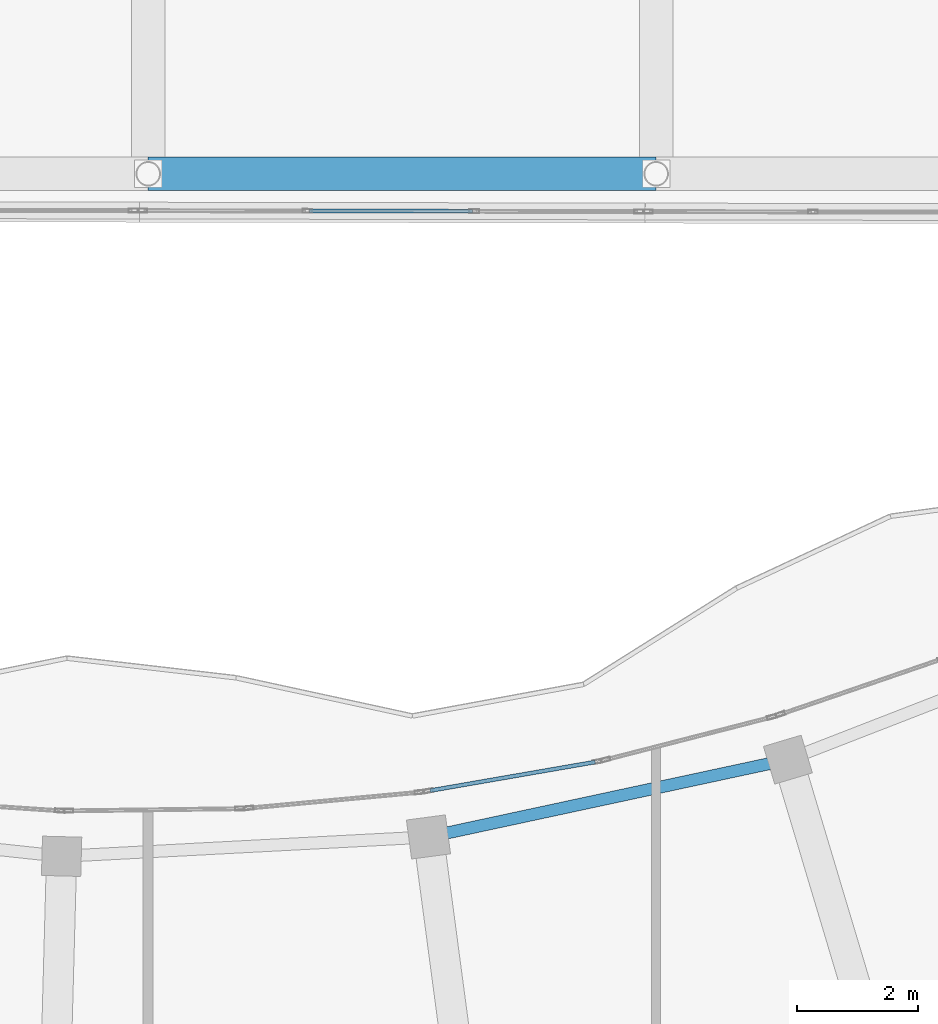
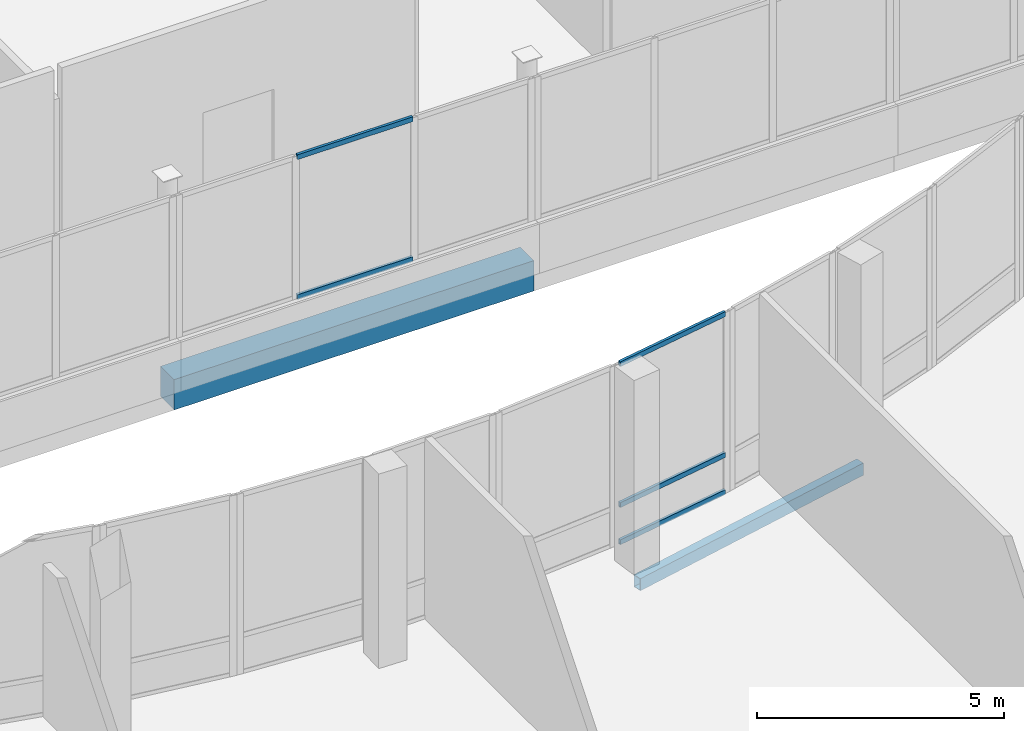
# One storey, part 34 of 155: 5 members, 2 beams, 2 elements without a shape of their own.
"""IFC4 building model written with IfcOpenShell, lengths in metres."""

from ifc_helpers import new_model, si_unit, direction, frame, origin, origin_2d, place, context, subcontext, project, spatial, rectangle, hollow_rectangle, extrude, material, material_profile, profile_set, type_object, element, aggregate, save


model = new_model("IFC4")

# Units and contexts
model_context = context("Model", 3, precision=1e-05, world=origin(), true_north=direction((0.0, 1.0)))
body_context = subcontext(model_context, "Body", "Model", "MODEL_VIEW")
ifc_project = project(units=[si_unit("LENGTHUNIT", "METRE"), si_unit("AREAUNIT", "SQUARE_METRE"), si_unit("VOLUMEUNIT", "CUBIC_METRE"), si_unit("PLANEANGLEUNIT", "RADIAN"), si_unit("MASSUNIT", "GRAM", prefix="KILO")], contexts=[model_context])

# Site, building, storey
site_placement = place(None, origin())
site = spatial("IfcSite", under=ifc_project, at=site_placement, CompositionType="ELEMENT")
building_placement = place(site_placement, origin())
building = spatial("IfcBuilding", under=site, at=building_placement, Name="Selatvlak General Hospital", CompositionType="ELEMENT")
storey_placement = place(building_placement, frame((0.0, 0.0, 10.199951171875)))
storey = spatial("IfcBuildingStorey", under=building, at=storey_placement, Name="L02", CompositionType="ELEMENT", Elevation=10.199951171875)

# Beams
ifc_material_1 = material(Name="Concrete C40/50", Category="concrete")
ifc_material_profile_1 = material_profile(ifc_material_1, rectangle(XDim=0.550048828125, YDim=0.75, at=origin_2d()), Name="RC-BM 550x750")
ifc_profile_set_1 = profile_set([ifc_material_profile_1], Name="Concrete C40/50")
beam_type_1 = type_object("IfcBeamType", Name="BM-G02", PredefinedType="BEAM", material=ifc_profile_set_1)
beam_1_placement = place(storey_placement, frame((56.39990234375, 52.550048828125, -0.72998046875), z_axis=(1.0, 0.0, 0.0), x_axis=(0.0, 1.0, 0.0)))
element("IfcBeam", 1, at=beam_1_placement, inside=storey, type_object=beam_type_1, Name="Beam BMR-L02-0771", PredefinedType="BEAM", context=body_context, shape_type="SweptSolid", body=[
    extrude(rectangle(XDim=0.550048828125, YDim=0.75, at=origin_2d()), origin(), (0.0, 0.0, 1.0), 8.400146484375),
])
ifc_material_2 = material(Name="Steel S355", Category="steel")
ifc_material_profile_2 = material_profile(ifc_material_2, hollow_rectangle(XDim=0.199951171875, YDim=0.300048828125, WallThickness=0.011962890625, at=origin_2d()), Name="RHS 300x200x12")
ifc_profile_set_2 = profile_set([ifc_material_profile_2], Name="Steel S355")
beam_type_2 = type_object("IfcBeamType", Name="BM-SP3", PredefinedType="SPANDREL", material=ifc_profile_set_2)
beam_2_placement = place(storey_placement, frame((61.034912109375, 41.5830078125, -0.5048828125), z_axis=(0.977655854443, 0.210211869964, 0.0), x_axis=(-0.210211869964, 0.977655854443, 0.0)))
element("IfcBeam", 2, at=beam_2_placement, inside=storey, type_object=beam_type_2, Name="Beam BMR-L02-1128", PredefinedType="SPANDREL", context=body_context, shape_type="SweptSolid", body=[
    extrude(hollow_rectangle(XDim=0.199951171875, YDim=0.300048828125, WallThickness=0.011962890625, at=origin_2d()), origin(), (0.0, 0.0, 1.0), 6.079833984375),
])

# Curtain wall, members
ifc_material_3 = material(Name="Solar-control Low-E double glazing", Category="glass")
curtain_wall_type_1 = type_object("IfcCurtainWallType", Name="CW-CW-01", PredefinedType="USERDEFINED", material=ifc_material_3)
curtain_wall_1_placement = place(storey_placement, origin())
curtain_wall_1 = element("IfcCurtainWall", 3, at=curtain_wall_1_placement, inside=storey, type_object=curtain_wall_type_1, Name="Glazed facade curtain wall CW-L02-0331", ObjectType="UNITISED CURTAIN WALL", PredefinedType="USERDEFINED")
ifc_material_4 = material(Name="Dark anodised aluminium mullion", Category="aluminium")
ifc_material_profile_3 = material_profile(ifc_material_4, hollow_rectangle(XDim=0.06494140625, YDim=0.1201171875, WallThickness=0.00390625, at=origin_2d()), Name="AL-TRN 65x120x4")
ifc_profile_set_3 = profile_set([ifc_material_profile_3], Name="Dark anodised aluminium mullion")
member_type = type_object("IfcMemberType", Name="CWT-01", PredefinedType="USERDEFINED", material=ifc_profile_set_3)
member_1_placement = place(storey_placement, frame((61.06201171875, 42.34912109375, 0.032470703125), z_axis=(0.985326006405, 0.170682925631, 0.0), x_axis=(-0.170682925631, 0.985326006405, 0.0)))
member_1 = element("IfcMember", 4, at=member_1_placement, type_object=member_type, Name="CW-01 transom 1.1", ObjectType="TRANSOM", PredefinedType="USERDEFINED", context=body_context, shape_type="SweptSolid", body=[
    extrude(hollow_rectangle(XDim=0.06494140625, YDim=0.1201171875, WallThickness=0.00390625, at=origin_2d()), origin(), (0.0, 0.0, 1.0), 2.770751953125),
])
member_2_placement = place(storey_placement, frame((61.06201171875, 42.34912109375, 0.949951171875), z_axis=(0.985326006405, 0.170682925631, 0.0), x_axis=(-0.170682925631, 0.985326006405, 0.0)))
member_2 = element("IfcMember", 5, at=member_2_placement, type_object=member_type, Name="CW-01 transom 1.2", ObjectType="TRANSOM", PredefinedType="USERDEFINED", context=body_context, shape_type="SweptSolid", body=[
    extrude(hollow_rectangle(XDim=0.06494140625, YDim=0.1201171875, WallThickness=0.00390625, at=origin_2d()), origin(), (0.0, 0.0, 1.0), 2.770751953125),
])
member_3_placement = place(storey_placement, frame((61.06201171875, 42.34912109375, 4.427490234375), z_axis=(0.985326006405, 0.170682925631, 0.0), x_axis=(-0.170682925631, 0.985326006405, 0.0)))
member_3 = element("IfcMember", 6, at=member_3_placement, type_object=member_type, Name="CW-01 transom 1.3", ObjectType="TRANSOM", PredefinedType="USERDEFINED", context=body_context, shape_type="SweptSolid", body=[
    extrude(hollow_rectangle(XDim=0.06494140625, YDim=0.1201171875, WallThickness=0.00390625, at=origin_2d()), origin(), (0.0, 0.0, 1.0), 2.770751953125),
])
aggregate(curtain_wall_1, [member_1, member_2, member_3])

curtain_wall_type_2 = type_object("IfcCurtainWallType", Name="CW-CW-02", PredefinedType="USERDEFINED", material=ifc_material_3)
curtain_wall_2_placement = place(storey_placement, origin())
curtain_wall_2 = element("IfcCurtainWall", 7, at=curtain_wall_2_placement, inside=storey, type_object=curtain_wall_type_2, Name="Glazed facade curtain wall CW-L02-0341", ObjectType="UNITISED CURTAIN WALL", PredefinedType="USERDEFINED")
member_4_placement = place(storey_placement, frame((61.759765625, 51.93017578125, 0.97265625), z_axis=(-0.999998359364, 0.001811427152, 0.0), x_axis=(-0.001811427152, -0.999998359364, 0.0)))
member_4 = element("IfcMember", 8, at=member_4_placement, type_object=member_type, Name="CW-02 transom 2.1", ObjectType="TRANSOM", PredefinedType="USERDEFINED", context=body_context, shape_type="SweptSolid", body=[
    extrude(hollow_rectangle(XDim=0.06494140625, YDim=0.1201171875, WallThickness=0.00390625, at=origin_2d()), origin(), (0.0, 0.0, 1.0), 2.695556640625),
])
member_5_placement = place(storey_placement, frame((61.759765625, 51.93017578125, 4.427490234375), z_axis=(-0.999998359364, 0.001811427152, 0.0), x_axis=(-0.001811427152, -0.999998359364, 0.0)))
member_5 = element("IfcMember", 9, at=member_5_placement, type_object=member_type, Name="CW-02 transom 2.2", ObjectType="TRANSOM", PredefinedType="USERDEFINED", context=body_context, shape_type="SweptSolid", body=[
    extrude(hollow_rectangle(XDim=0.06494140625, YDim=0.1201171875, WallThickness=0.00390625, at=origin_2d()), origin(), (0.0, 0.0, 1.0), 2.695556640625),
])
aggregate(curtain_wall_2, [member_4, member_5])

save(model, "model.ifc")
